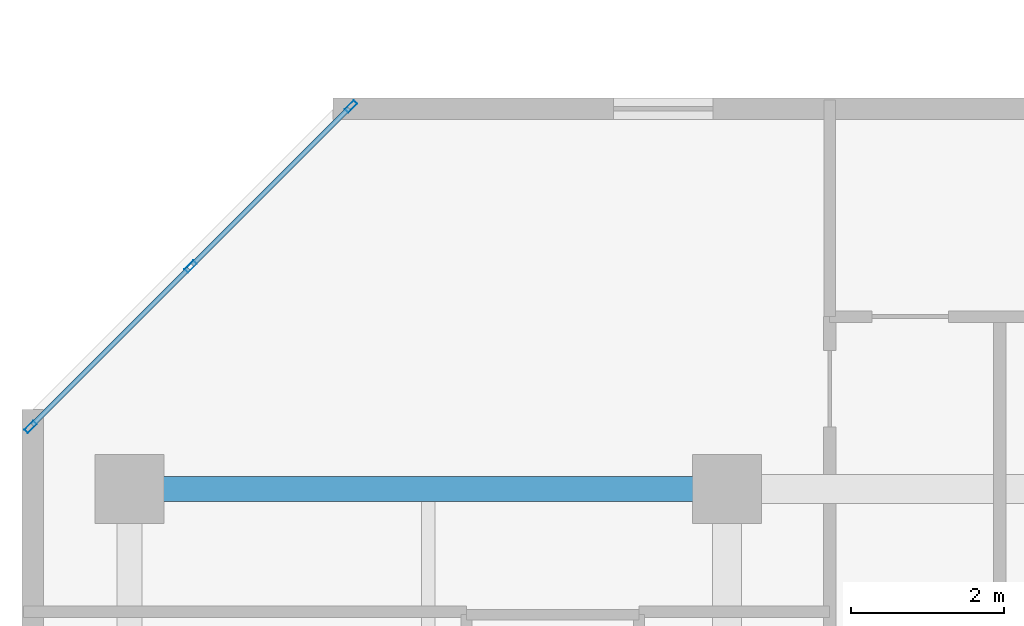
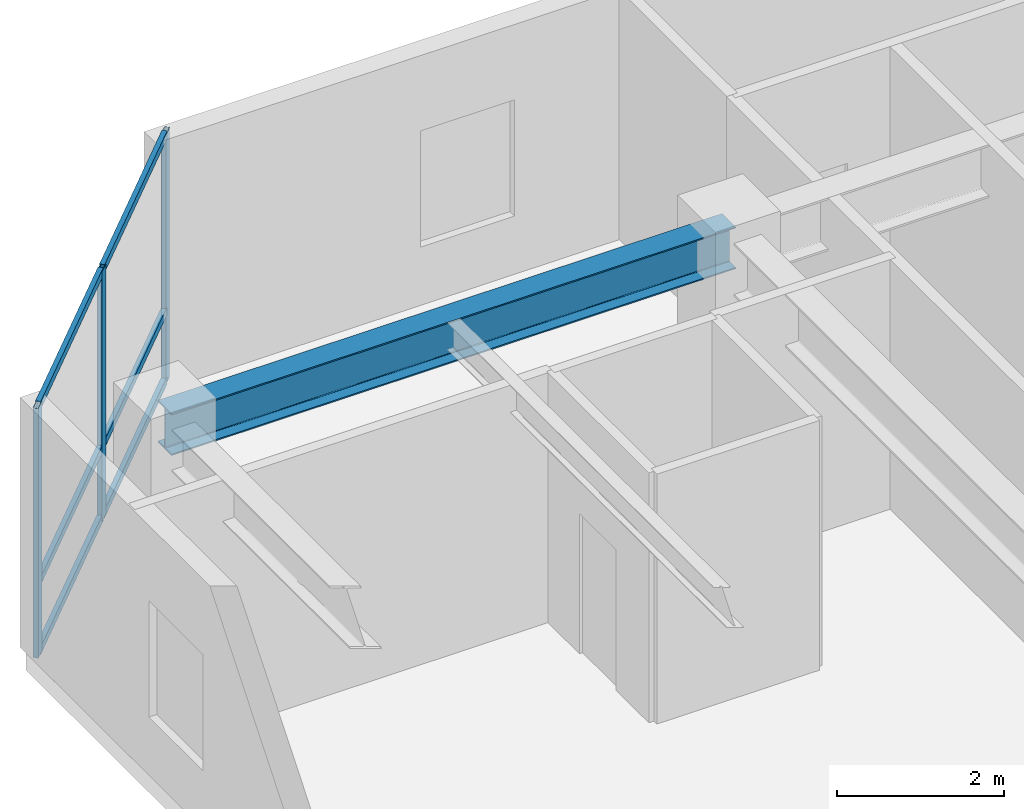
# One storey, part 2 of 10: 9 members, 1 beam, 1 element without a shape of its own.
"""IFC4 building model written with IfcOpenShell, lengths in metres."""

import ifcopenshell
import ifcopenshell.guid

model = None  # the IFC model being written
_history = None  # IfcOwnerHistory: only IFC2X3 demands one
_inside = {}  # id of a spatial element -> (the spatial element, [elements in it])
_under = {}  # id of a project, library or spatial element -> (it, [spatial elements below it])
_declared = {}  # id of a project -> (the project, [libraries it declares])
_typed = {}  # id of a type object -> (the type object, [elements of that type])
_made_of = {}  # id of a material, layer set ... -> (it, [elements and type objects made of it])


def new_model(schema):
    """Start an empty IFC model of exactly this schema.

    Asked for "IFC4X3", IfcOpenShell would pick the latest addendum, in which some entities
    have other attributes; the version numbers below select the first issue.
    IFC2X3 requires an IfcOwnerHistory on every rooted entity: one is made here for all.
    """
    global model, _history
    if schema == "IFC4X3":
        model = ifcopenshell.file(schema_version=(4, 3, 0, 0))
    else:
        model = ifcopenshell.file(schema=schema)
    _inside.clear()
    _under.clear()
    _declared.clear()
    _typed.clear()
    _made_of.clear()
    _history = None
    if model.schema == "IFC2X3":
        org = make("IfcOrganization", Name="unknown")
        user = make(
            "IfcPersonAndOrganization",
            ThePerson=make("IfcPerson", FamilyName="unknown"),
            TheOrganization=org,
        )
        app = make(
            "IfcApplication",
            ApplicationDeveloper=org,
            Version="unknown",
            ApplicationFullName="unknown",
            ApplicationIdentifier="unknown",
        )
        _history = make(
            "IfcOwnerHistory",
            OwningUser=user,
            OwningApplication=app,
            ChangeAction="ADDED",
            CreationDate=0,
        )
    return model


def make(cls, **values):
    """One entity of the class cls with the attributes given. An attribute that is None is left unset."""
    return model.create_entity(
        cls, **{name: value for name, value in values.items() if value is not None}
    )


def rooted(cls, **values):
    """An entity with a GlobalId (a new one), such as an element, a storey or a relation."""
    return make(cls, GlobalId=ifcopenshell.guid.new(), OwnerHistory=_history, **values)


def si_unit(unit_type, name, prefix=None):
    """IfcSIUnit, for example si_unit("LENGTHUNIT", "METRE", prefix="MILLI")."""
    return make("IfcSIUnit", UnitType=unit_type, Prefix=prefix, Name=name)


def assignment(units):
    """IfcUnitAssignment: the units of a project."""
    return None if units is None else make("IfcUnitAssignment", Units=units)


def point(xyz):
    """IfcCartesianPoint."""
    return None if xyz is None else make("IfcCartesianPoint", Coordinates=xyz)


def direction(xyz):
    """IfcDirection."""
    return None if xyz is None else make("IfcDirection", DirectionRatios=xyz)


def frame(location, z_axis=None, x_axis=None):
    """IfcAxis2Placement3D, a coordinate frame: its origin and axes. An axis left out is left unset."""
    return make(
        "IfcAxis2Placement3D",
        Location=point(location),
        Axis=direction(z_axis),
        RefDirection=direction(x_axis),
    )


def frame_2d(location, x_axis=None):
    """IfcAxis2Placement2D, a coordinate frame in the plane: its origin and x axis."""
    return make(
        "IfcAxis2Placement2D", Location=point(location), RefDirection=direction(x_axis)
    )


def origin():
    """The frame at (0, 0, 0) with its axes left unset."""
    return frame((0.0, 0.0, 0.0))


def origin_2d():
    """The frame at (0, 0) in the plane with its x axis left unset."""
    return frame_2d((0.0, 0.0))


def place(relative_to, where):
    """IfcLocalPlacement: puts the frame where relative to a parent placement (None: the world)."""
    return make(
        "IfcLocalPlacement", PlacementRelTo=relative_to, RelativePlacement=where
    )


def context(
    kind, dimensions, precision=None, world=None, true_north=None, identifier=None
):
    """IfcGeometricRepresentationContext, for example the 3D "Model" context."""
    return make(
        "IfcGeometricRepresentationContext",
        ContextIdentifier=identifier,
        ContextType=kind,
        CoordinateSpaceDimension=dimensions,
        Precision=precision,
        WorldCoordinateSystem=world,
        TrueNorth=true_north,
    )


def subcontext(parent, identifier, kind, view, scale=None):
    """IfcGeometricRepresentationSubContext, for example "Body" below "Model"."""
    return make(
        "IfcGeometricRepresentationSubContext",
        ContextIdentifier=identifier,
        ContextType=kind,
        ParentContext=parent,
        TargetScale=scale,
        TargetView=view,
    )


def project(units=None, contexts=None):
    """IfcProject with its units and contexts."""
    return rooted(
        "IfcProject",
        Name="project",
        RepresentationContexts=contexts,
        UnitsInContext=assignment(units),
    )


def spatial(cls, under=None, at=None, **own):
    """A site, building, storey or space (cls), placed at a placement, below another one or the project."""
    s = rooted(cls, ObjectPlacement=at, **own)
    if under is not None:
        _under.setdefault(under.id(), (under, []))[1].append(s)
    return s


def profile(cls, at=None, kind="AREA", **sizes):
    """A parametric profile (cls). Its sizes go by their IFC names, for example OverallWidth=200.0."""
    return make(cls, ProfileType=kind, Position=at, **sizes)


def hollow_rectangle(**sizes):
    """IfcRectangleHollowProfileDef."""
    return profile("IfcRectangleHollowProfileDef", **sizes)


def i_section(**sizes):
    """IfcIShapeProfileDef."""
    return profile("IfcIShapeProfileDef", **sizes)


def extrude(swept, where, along, depth):
    """IfcExtrudedAreaSolid: the profile swept, set in the frame where, extruded along a direction by depth."""
    return make(
        "IfcExtrudedAreaSolid",
        SweptArea=swept,
        Position=where,
        ExtrudedDirection=direction(along),
        Depth=depth,
    )


def shape(context_of_items, identifier, shape_type, items):
    """IfcShapeRepresentation: the items that make up one representation, for example the "Body"."""
    return make(
        "IfcShapeRepresentation",
        ContextOfItems=context_of_items,
        RepresentationIdentifier=identifier,
        RepresentationType=shape_type,
        Items=items,
    )


def material(Name=None, Category=None):
    """IfcMaterial."""
    return make("IfcMaterial", Name=Name, Category=Category)


def layer(
    of_material, thickness, ventilated=None, Name=None, Category=None, Priority=None
):
    """IfcMaterialLayer: one layer of a wall or slab, of a material (None: an air gap)."""
    return make(
        "IfcMaterialLayer",
        Material=of_material,
        LayerThickness=thickness,
        IsVentilated=ventilated,
        Name=Name,
        Category=Category,
        Priority=Priority,
    )


def layer_set(layers, Name=None):
    """IfcMaterialLayerSet."""
    return make("IfcMaterialLayerSet", MaterialLayers=layers, LayerSetName=Name)


def material_profile(
    of_material, cross_section, Name=None, Category=None, Priority=None
):
    """IfcMaterialProfile: a cross section and its material."""
    return make(
        "IfcMaterialProfile",
        Name=Name,
        Material=of_material,
        Profile=cross_section,
        Priority=Priority,
        Category=Category,
    )


def profile_set(profiles, Name=None, composite=None):
    """IfcMaterialProfileSet."""
    return make(
        "IfcMaterialProfileSet",
        Name=Name,
        MaterialProfiles=profiles,
        CompositeProfile=composite,
    )


def made_of(thing, what):
    """Note that an element or type object is made of a material, layer set ...; save() writes the relation."""
    if what is not None:
        _made_of.setdefault(what.id(), (what, []))[1].append(thing)
    return thing


def type_object(cls, material=None, **own):
    """A type object (cls), such as IfcWallType, which elements share."""
    return made_of(rooted(cls, **own), material)


def element(
    cls,
    number,
    at=None,
    inside=None,
    cuts=None,
    type_object=None,
    material=None,
    context=None,
    identifier="Body",
    shape_type=None,
    held_by="IfcProductDefinitionShape",
    body=None,
    shapes=None,
    **own,
):
    """One element of the class cls, such as IfcWall. Its Tag is "e" and its number.

    at: its placement. inside: the storey or other place that contains it. cuts: it is an
    opening in that element (IfcRelVoidsElement). A single representation is given by context,
    identifier, shape_type and body (its items); several are given by shapes. held_by: the class
    of the entity that holds the representations. save() writes the other relations.
    """
    e = rooted(cls, Tag="e%d" % number, ObjectPlacement=at, **own)
    if body is not None:
        shapes = [shape(context, identifier, shape_type, body)]
    if shapes is not None:
        e.Representation = make(held_by, Representations=shapes)
    if inside is not None:
        _inside.setdefault(inside.id(), (inside, []))[1].append(e)
    if cuts is not None:
        rooted(
            "IfcRelVoidsElement", RelatingBuildingElement=cuts, RelatedOpeningElement=e
        )
    if type_object is not None:
        _typed.setdefault(type_object.id(), (type_object, []))[1].append(e)
    return made_of(e, material)


def aggregate(whole, parts):
    """IfcRelAggregates: a whole, such as a stair, and the parts it consists of."""
    return rooted("IfcRelAggregates", RelatingObject=whole, RelatedObjects=parts)


def save(model, path):
    """Write the relations noted so far, then the file.

    IfcRelAggregates (storeys below a building ...), IfcRelContainedInSpatialStructure (elements
    in a storey), IfcRelDefinesByType, IfcRelAssociatesMaterial and IfcRelDeclares: one each for
    every whole, place, type object, material and project.
    """
    for whole, parts in _under.values():
        aggregate(whole, parts)
    for where, things in _inside.values():
        rooted(
            "IfcRelContainedInSpatialStructure",
            RelatedElements=things,
            RelatingStructure=where,
        )
    for kind, things in _typed.values():
        rooted("IfcRelDefinesByType", RelatedObjects=things, RelatingType=kind)
    for what, things in _made_of.values():
        rooted("IfcRelAssociatesMaterial", RelatedObjects=things, RelatingMaterial=what)
    for by, libraries in _declared.values():
        rooted("IfcRelDeclares", RelatingContext=by, RelatedDefinitions=libraries)
    model.write(path)


model = new_model("IFC4")

# Units and contexts
model_context = context("Model", 3, precision=1e-05, world=origin(), true_north=direction((0.0, 1.0)))
body_context = subcontext(model_context, "Body", "Model", "MODEL_VIEW")
ifc_project = project(units=[si_unit("LENGTHUNIT", "METRE"), si_unit("AREAUNIT", "SQUARE_METRE"), si_unit("VOLUMEUNIT", "CUBIC_METRE"), si_unit("PLANEANGLEUNIT", "RADIAN"), si_unit("MASSUNIT", "GRAM", prefix="KILO")], contexts=[model_context])

# Site, building, storey
site_placement = place(None, origin())
site = spatial("IfcSite", under=ifc_project, at=site_placement, CompositionType="ELEMENT")
building_placement = place(site_placement, origin())
building = spatial("IfcBuilding", under=site, at=building_placement, Name="Kestravale Grand Hotel", CompositionType="ELEMENT")
storey_placement = place(building_placement, frame((0.0, 0.0, 216.300048828125)))
storey = spatial("IfcBuildingStorey", under=building, at=storey_placement, Name="L54", CompositionType="ELEMENT", Elevation=216.300048828125)

# Beam
ifc_material_1 = material(Name="Steel ASTM A992 Grade 50", Category="steel")
ifc_material_profile_1 = material_profile(ifc_material_1, i_section(OverallWidth=0.324951171875, OverallDepth=0.612060546875, WebThickness=0.0126953125, FlangeThickness=0.01904296875, FilletRadius=0.018798828125, at=origin_2d()))
ifc_profile_set_1 = profile_set([ifc_material_profile_1], Name="Steel ASTM A992 Grade 50")
beam_type = type_object("IfcBeamType", Name="B-FLR-W24A", PredefinedType="SPANDREL", material=ifc_profile_set_1)
beam_placement = place(storey_placement, frame((7.800048828125, 38.39990234375, 3.343994140625), z_axis=(1.0, 0.0, 0.0), x_axis=(0.0, 1.0, 0.0)))
element("IfcBeam", 1, at=beam_placement, inside=storey, type_object=beam_type, Name="L54 spandrel F:2-3", PredefinedType="SPANDREL", context=body_context, shape_type="SweptSolid", body=[
    extrude(i_section(OverallWidth=0.324951171875, OverallDepth=0.612060546875, WebThickness=0.0126953125, FlangeThickness=0.01904296875, FilletRadius=0.018798828125, at=origin_2d()), origin(), (0.0, 0.0, 1.0), 7.800048828125),
])

# Curtain wall, members
ifc_material_2 = material(Name="Thermally broken champagne-bronze aluminium and low-E glazing", Category="aluminium")
ifc_layer = layer(ifc_material_2, 0.179931640625)
ifc_layer_set = layer_set([ifc_layer], Name="CW-Z3")
curtain_wall_type = type_object("IfcCurtainWallType", Name="CW-Z3", PredefinedType="NOTDEFINED", material=ifc_layer_set)
curtain_wall_placement = place(storey_placement, origin())
curtain_wall = element("IfcCurtainWall", 2, at=curtain_wall_placement, inside=storey, type_object=curtain_wall_type, Name="L54 unitised curtain wall 18", PredefinedType="NOTDEFINED")
ifc_material_3 = material(Name="Aluminium 6063-T6 anodised", Category="aluminium")
ifc_material_profile_2 = material_profile(ifc_material_3, hollow_rectangle(XDim=0.06494140625, YDim=0.1650390625, WallThickness=0.00341796875, at=origin_2d()))
ifc_profile_set_2 = profile_set([ifc_material_profile_2], Name="Aluminium 6063-T6 anodised")
member_type_1 = type_object("IfcMemberType", Name="CW-MUL-165", PredefinedType="MULLION", material=ifc_profile_set_2)
member_1_placement = place(storey_placement, frame((10.690185546875, 43.392333984375, 0.0), z_axis=(0.0, 0.0, 1.0), x_axis=(0.707106781187, -0.707106781187, 0.0)))
member_1 = element("IfcMember", 3, at=member_1_placement, type_object=member_type_1, Name="CW-Z3 mullion 1", PredefinedType="MULLION", context=body_context, shape_type="SweptSolid", body=[
    extrude(hollow_rectangle(XDim=0.06494140625, YDim=0.1650390625, WallThickness=0.00341796875, at=origin_2d()), origin(), (0.0, 0.0, 1.0), 3.64990234375),
])
member_2_placement = place(storey_placement, frame((8.59912109375, 41.301025390625, 0.0), z_axis=(0.0, 0.0, 1.0), x_axis=(0.707106781187, -0.707106781187, 0.0)))
member_2 = element("IfcMember", 4, at=member_2_placement, type_object=member_type_1, Name="CW-Z3 mullion 2", PredefinedType="MULLION", context=body_context, shape_type="SweptSolid", body=[
    extrude(hollow_rectangle(XDim=0.06494140625, YDim=0.1650390625, WallThickness=0.00341796875, at=origin_2d()), origin(), (0.0, 0.0, 1.0), 3.64990234375),
])
member_3_placement = place(storey_placement, frame((6.5078125, 39.209716796875, 0.0), z_axis=(0.0, 0.0, 1.0), x_axis=(0.707106781187, -0.707106781187, 0.0)))
member_3 = element("IfcMember", 5, at=member_3_placement, type_object=member_type_1, Name="CW-Z3 mullion 3", PredefinedType="MULLION", context=body_context, shape_type="SweptSolid", body=[
    extrude(hollow_rectangle(XDim=0.06494140625, YDim=0.1650390625, WallThickness=0.00341796875, at=origin_2d()), origin(), (0.0, 0.0, 1.0), 3.64990234375),
])
ifc_material_4 = material(Name="Aluminium 6063-T6 anodised", Category="aluminium")
ifc_material_profile_3 = material_profile(ifc_material_4, hollow_rectangle(XDim=0.06494140625, YDim=0.114990234375, WallThickness=0.003173828125, at=origin_2d()))
ifc_profile_set_3 = profile_set([ifc_material_profile_3], Name="Aluminium 6063-T6 anodised")
member_type_2 = type_object("IfcMemberType", Name="CW-TRN-115", PredefinedType="USERDEFINED", material=ifc_profile_set_3)
member_4_placement = place(storey_placement, frame((10.667236328125, 43.369140625, 0.032470703125), z_axis=(-0.707106781187, -0.707106781187, 0.0), x_axis=(0.707106781187, -0.707106781187, 0.0)))
member_4 = element("IfcMember", 6, at=member_4_placement, type_object=member_type_2, Name="CW-Z3 transom 1.1", ObjectType="TRANSOM", PredefinedType="USERDEFINED", context=body_context, shape_type="SweptSolid", body=[
    extrude(hollow_rectangle(XDim=0.06494140625, YDim=0.114990234375, WallThickness=0.003173828125, at=origin_2d()), origin(), (0.0, 0.0, 1.0), 2.892333984375),
])
member_5_placement = place(storey_placement, frame((10.667236328125, 43.369140625, 1.050048828125), z_axis=(-0.707106781187, -0.707106781187, 0.0), x_axis=(0.707106781187, -0.707106781187, 0.0)))
member_5 = element("IfcMember", 7, at=member_5_placement, type_object=member_type_2, Name="CW-Z3 transom 1.2", ObjectType="TRANSOM", PredefinedType="USERDEFINED", context=body_context, shape_type="SweptSolid", body=[
    extrude(hollow_rectangle(XDim=0.06494140625, YDim=0.114990234375, WallThickness=0.003173828125, at=origin_2d()), origin(), (0.0, 0.0, 1.0), 2.892333984375),
])
member_6_placement = place(storey_placement, frame((10.667236328125, 43.369140625, 3.617431640625), z_axis=(-0.707106781187, -0.707106781187, 0.0), x_axis=(0.707106781187, -0.707106781187, 0.0)))
member_6 = element("IfcMember", 8, at=member_6_placement, type_object=member_type_2, Name="CW-Z3 transom 1.3", ObjectType="TRANSOM", PredefinedType="USERDEFINED", context=body_context, shape_type="SweptSolid", body=[
    extrude(hollow_rectangle(XDim=0.06494140625, YDim=0.114990234375, WallThickness=0.003173828125, at=origin_2d()), origin(), (0.0, 0.0, 1.0), 2.892333984375),
])
member_7_placement = place(storey_placement, frame((8.575927734375, 41.278076171875, 0.032470703125), z_axis=(-0.707064577195, -0.707148982659, 0.0), x_axis=(0.707148982659, -0.707064577195, 0.0)))
member_7 = element("IfcMember", 9, at=member_7_placement, type_object=member_type_2, Name="CW-Z3 transom 2.1", ObjectType="TRANSOM", PredefinedType="USERDEFINED", context=body_context, shape_type="SweptSolid", body=[
    extrude(hollow_rectangle(XDim=0.06494140625, YDim=0.114990234375, WallThickness=0.003173828125, at=origin_2d()), origin(), (0.0, 0.0, 1.0), 2.892578125),
])
member_8_placement = place(storey_placement, frame((8.575927734375, 41.278076171875, 1.050048828125), z_axis=(-0.707064577195, -0.707148982659, 0.0), x_axis=(0.707148982659, -0.707064577195, 0.0)))
member_8 = element("IfcMember", 10, at=member_8_placement, type_object=member_type_2, Name="CW-Z3 transom 2.2", ObjectType="TRANSOM", PredefinedType="USERDEFINED", context=body_context, shape_type="SweptSolid", body=[
    extrude(hollow_rectangle(XDim=0.06494140625, YDim=0.114990234375, WallThickness=0.003173828125, at=origin_2d()), origin(), (0.0, 0.0, 1.0), 2.892578125),
])
member_9_placement = place(storey_placement, frame((8.575927734375, 41.278076171875, 3.617431640625), z_axis=(-0.707064577195, -0.707148982659, 0.0), x_axis=(0.707148982659, -0.707064577195, 0.0)))
member_9 = element("IfcMember", 11, at=member_9_placement, type_object=member_type_2, Name="CW-Z3 transom 2.3", ObjectType="TRANSOM", PredefinedType="USERDEFINED", context=body_context, shape_type="SweptSolid", body=[
    extrude(hollow_rectangle(XDim=0.06494140625, YDim=0.114990234375, WallThickness=0.003173828125, at=origin_2d()), origin(), (0.0, 0.0, 1.0), 2.892578125),
])
aggregate(curtain_wall, [member_1, member_2, member_3, member_4, member_5, member_6, member_7, member_8, member_9])

save(model, "model.ifc")
